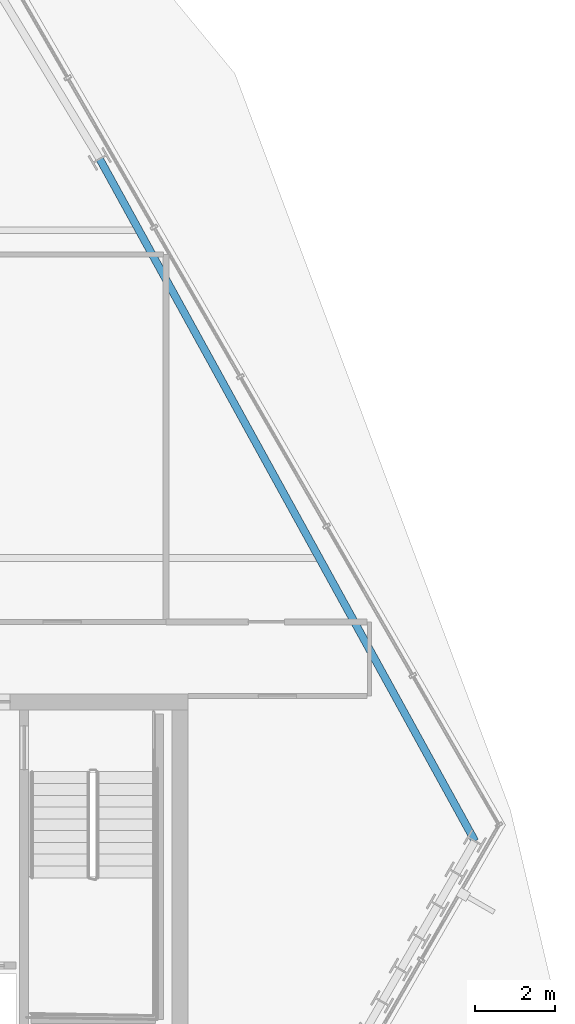
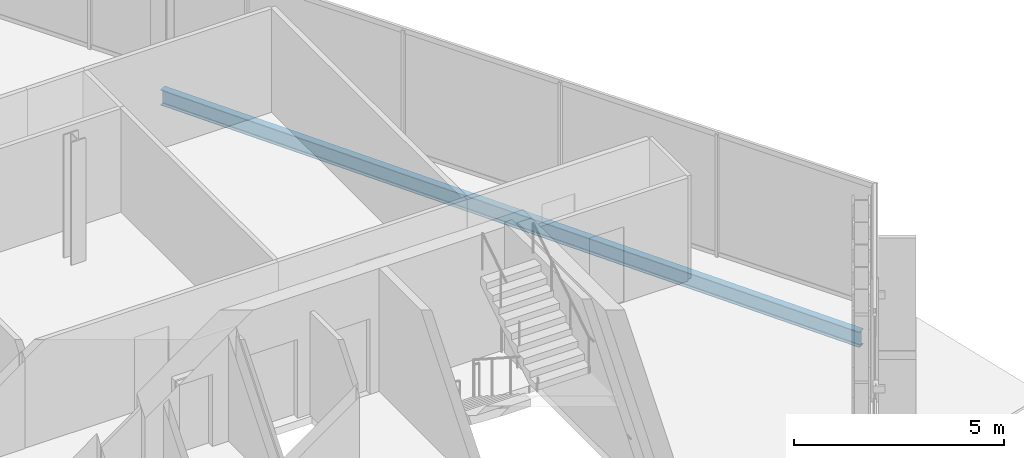
# One storey, part 20 of 37: 1 beam.
"""IFC4 building model written with IfcOpenShell, lengths in metres."""

from ifc_helpers import new_model, si_unit, direction, frame, origin, origin_2d, place, context, subcontext, project, spatial, i_section, extrude, material, material_profile, profile_set, type_object, element, save


model = new_model("IFC4")

# Units and contexts
model_context = context("Model", 3, precision=1e-05, world=origin(), true_north=direction((0.0, 1.0)))
body_context = subcontext(model_context, "Body", "Model", "MODEL_VIEW")
ifc_project = project(units=[si_unit("LENGTHUNIT", "METRE"), si_unit("AREAUNIT", "SQUARE_METRE"), si_unit("VOLUMEUNIT", "CUBIC_METRE"), si_unit("PLANEANGLEUNIT", "RADIAN"), si_unit("MASSUNIT", "GRAM", prefix="KILO")], contexts=[model_context])

# Site, building, storey
site_placement = place(None, origin())
site = spatial("IfcSite", under=ifc_project, at=site_placement, CompositionType="ELEMENT")
building_placement = place(site_placement, origin())
building = spatial("IfcBuilding", under=site, at=building_placement, Name="Ndaravel Arena Tower", CompositionType="ELEMENT")
storey_placement = place(building_placement, frame((0.0, 0.0, 218.0)))
storey = spatial("IfcBuildingStorey", under=building, at=storey_placement, Name="L52", CompositionType="ELEMENT", Elevation=218.0)

# Beam
ifc_material = material(Name="Steel S355", Category="steel")
ifc_material_profile = material_profile(ifc_material, i_section(OverallWidth=0.18994140625, OverallDepth=0.449951171875, WebThickness=0.009521484375, FlangeThickness=0.0146484375, FilletRadius=0.02099609375, at=origin_2d()), Name="IPE 450")
ifc_profile_set = profile_set([ifc_material_profile], Name="Steel S355")
beam_type = type_object("IfcBeamType", Name="BM-SPAN-IPE450", PredefinedType="SPANDREL", material=ifc_profile_set)
beam_placement = place(storey_placement, frame((64.7333984375, 11.515869140625, -0.445068359375), z_axis=(-0.482016386815, 0.876162201217, 0.0), x_axis=(-0.876162201217, -0.482016386815, 0.0)))
element("IfcBeam", 1, at=beam_placement, inside=storey, type_object=beam_type, Name="L52 Perimeter Spandrel Beam SP-09", PredefinedType="SPANDREL", context=body_context, shape_type="SweptSolid", body=[
    extrude(i_section(OverallWidth=0.18994140625, OverallDepth=0.449951171875, WebThickness=0.009521484375, FlangeThickness=0.0146484375, FilletRadius=0.02099609375, at=origin_2d()), origin(), (0.0, 0.0, 1.0), 19.485107421875),
])

save(model, "model.ifc")
